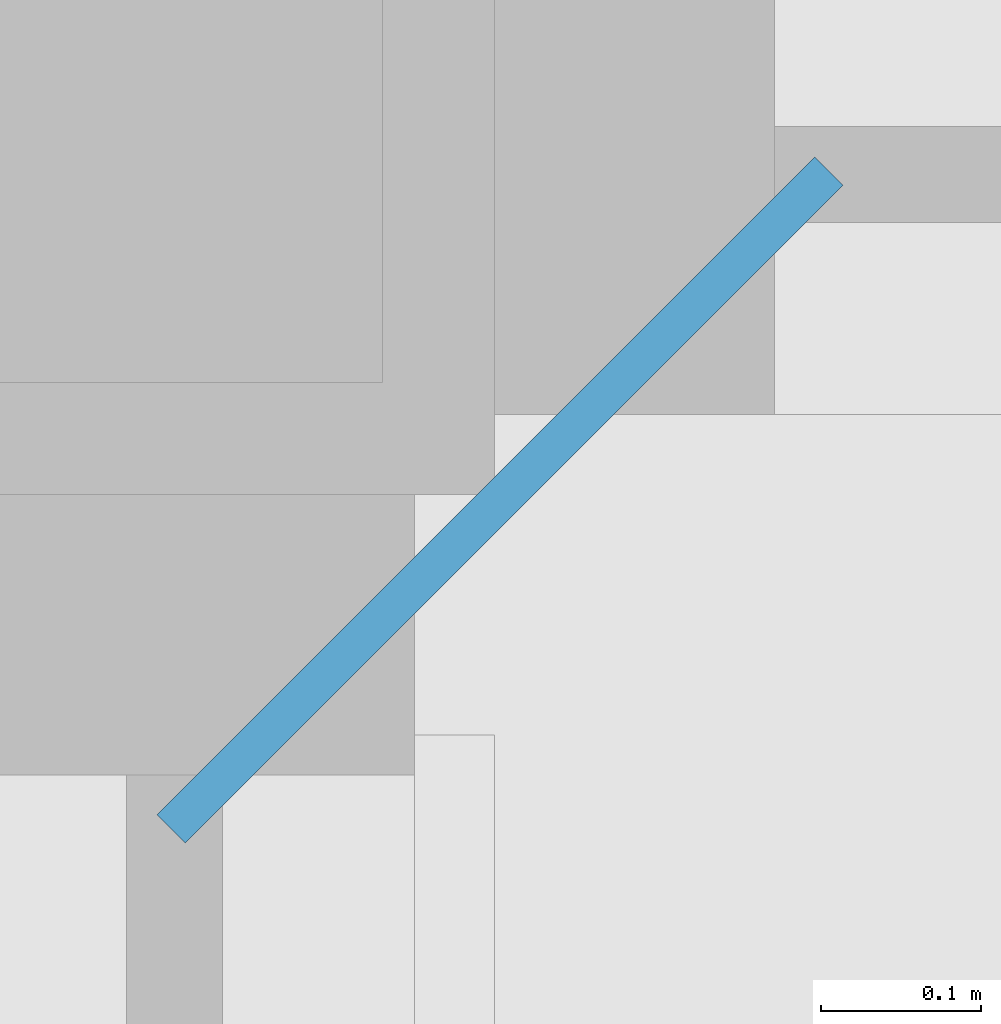
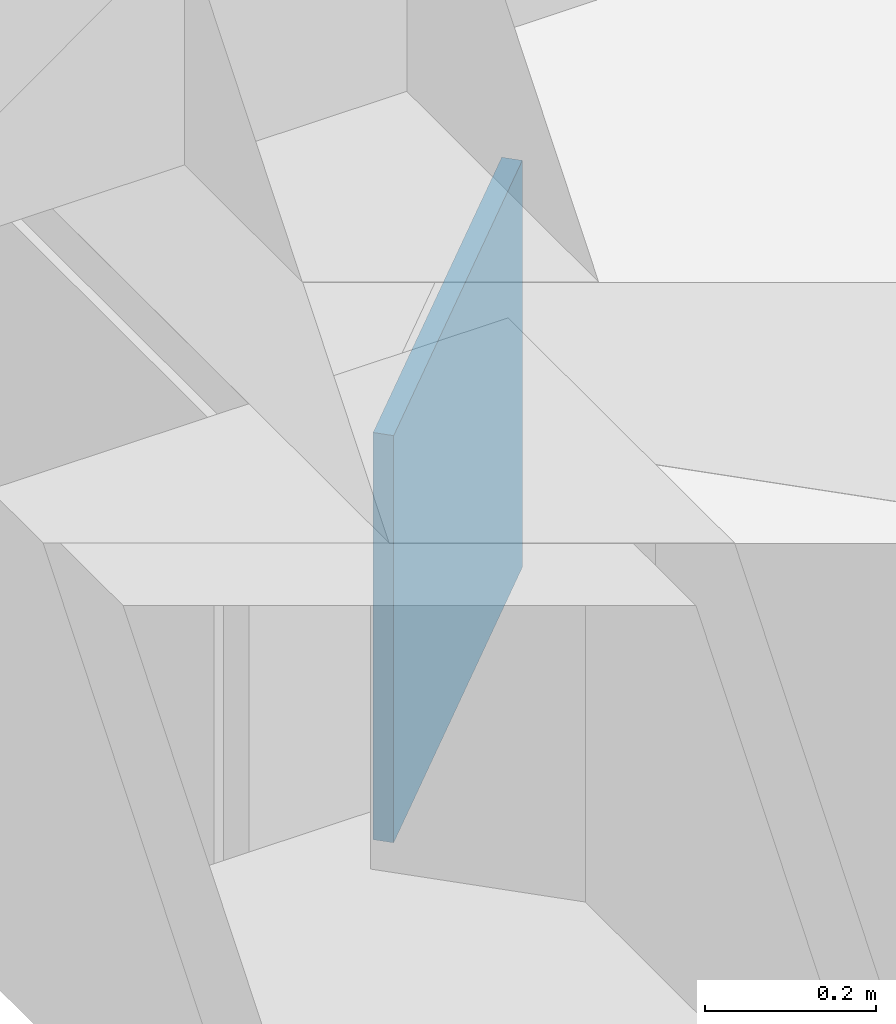
# One storey, part 5 of 15: 1 plate.
"""IFC4 building model written with IfcOpenShell, lengths in metres."""

import ifcopenshell
import ifcopenshell.guid

model = None  # the IFC model being written
_history = None  # IfcOwnerHistory: only IFC2X3 demands one
_inside = {}  # id of a spatial element -> (the spatial element, [elements in it])
_under = {}  # id of a project, library or spatial element -> (it, [spatial elements below it])
_declared = {}  # id of a project -> (the project, [libraries it declares])
_typed = {}  # id of a type object -> (the type object, [elements of that type])
_made_of = {}  # id of a material, layer set ... -> (it, [elements and type objects made of it])


def new_model(schema):
    """Start an empty IFC model of exactly this schema.

    Asked for "IFC4X3", IfcOpenShell would pick the latest addendum, in which some entities
    have other attributes; the version numbers below select the first issue.
    IFC2X3 requires an IfcOwnerHistory on every rooted entity: one is made here for all.
    """
    global model, _history
    if schema == "IFC4X3":
        model = ifcopenshell.file(schema_version=(4, 3, 0, 0))
    else:
        model = ifcopenshell.file(schema=schema)
    _inside.clear()
    _under.clear()
    _declared.clear()
    _typed.clear()
    _made_of.clear()
    _history = None
    if model.schema == "IFC2X3":
        org = make("IfcOrganization", Name="unknown")
        user = make(
            "IfcPersonAndOrganization",
            ThePerson=make("IfcPerson", FamilyName="unknown"),
            TheOrganization=org,
        )
        app = make(
            "IfcApplication",
            ApplicationDeveloper=org,
            Version="unknown",
            ApplicationFullName="unknown",
            ApplicationIdentifier="unknown",
        )
        _history = make(
            "IfcOwnerHistory",
            OwningUser=user,
            OwningApplication=app,
            ChangeAction="ADDED",
            CreationDate=0,
        )
    return model


def make(cls, **values):
    """One entity of the class cls with the attributes given. An attribute that is None is left unset."""
    return model.create_entity(
        cls, **{name: value for name, value in values.items() if value is not None}
    )


def rooted(cls, **values):
    """An entity with a GlobalId (a new one), such as an element, a storey or a relation."""
    return make(cls, GlobalId=ifcopenshell.guid.new(), OwnerHistory=_history, **values)


def si_unit(unit_type, name, prefix=None):
    """IfcSIUnit, for example si_unit("LENGTHUNIT", "METRE", prefix="MILLI")."""
    return make("IfcSIUnit", UnitType=unit_type, Prefix=prefix, Name=name)


def assignment(units):
    """IfcUnitAssignment: the units of a project."""
    return None if units is None else make("IfcUnitAssignment", Units=units)


def point(xyz):
    """IfcCartesianPoint."""
    return None if xyz is None else make("IfcCartesianPoint", Coordinates=xyz)


def direction(xyz):
    """IfcDirection."""
    return None if xyz is None else make("IfcDirection", DirectionRatios=xyz)


def frame(location, z_axis=None, x_axis=None):
    """IfcAxis2Placement3D, a coordinate frame: its origin and axes. An axis left out is left unset."""
    return make(
        "IfcAxis2Placement3D",
        Location=point(location),
        Axis=direction(z_axis),
        RefDirection=direction(x_axis),
    )


def frame_2d(location, x_axis=None):
    """IfcAxis2Placement2D, a coordinate frame in the plane: its origin and x axis."""
    return make(
        "IfcAxis2Placement2D", Location=point(location), RefDirection=direction(x_axis)
    )


def origin():
    """The frame at (0, 0, 0) with its axes left unset."""
    return frame((0.0, 0.0, 0.0))


def origin_2d():
    """The frame at (0, 0) in the plane with its x axis left unset."""
    return frame_2d((0.0, 0.0))


def place(relative_to, where):
    """IfcLocalPlacement: puts the frame where relative to a parent placement (None: the world)."""
    return make(
        "IfcLocalPlacement", PlacementRelTo=relative_to, RelativePlacement=where
    )


def context(
    kind, dimensions, precision=None, world=None, true_north=None, identifier=None
):
    """IfcGeometricRepresentationContext, for example the 3D "Model" context."""
    return make(
        "IfcGeometricRepresentationContext",
        ContextIdentifier=identifier,
        ContextType=kind,
        CoordinateSpaceDimension=dimensions,
        Precision=precision,
        WorldCoordinateSystem=world,
        TrueNorth=true_north,
    )


def subcontext(parent, identifier, kind, view, scale=None):
    """IfcGeometricRepresentationSubContext, for example "Body" below "Model"."""
    return make(
        "IfcGeometricRepresentationSubContext",
        ContextIdentifier=identifier,
        ContextType=kind,
        ParentContext=parent,
        TargetScale=scale,
        TargetView=view,
    )


def project(units=None, contexts=None):
    """IfcProject with its units and contexts."""
    return rooted(
        "IfcProject",
        Name="project",
        RepresentationContexts=contexts,
        UnitsInContext=assignment(units),
    )


def spatial(cls, under=None, at=None, **own):
    """A site, building, storey or space (cls), placed at a placement, below another one or the project."""
    s = rooted(cls, ObjectPlacement=at, **own)
    if under is not None:
        _under.setdefault(under.id(), (under, []))[1].append(s)
    return s


def profile(cls, at=None, kind="AREA", **sizes):
    """A parametric profile (cls). Its sizes go by their IFC names, for example OverallWidth=200.0."""
    return make(cls, ProfileType=kind, Position=at, **sizes)


def rectangle(**sizes):
    """IfcRectangleProfileDef."""
    return profile("IfcRectangleProfileDef", **sizes)


def extrude(swept, where, along, depth):
    """IfcExtrudedAreaSolid: the profile swept, set in the frame where, extruded along a direction by depth."""
    return make(
        "IfcExtrudedAreaSolid",
        SweptArea=swept,
        Position=where,
        ExtrudedDirection=direction(along),
        Depth=depth,
    )


def shape(context_of_items, identifier, shape_type, items):
    """IfcShapeRepresentation: the items that make up one representation, for example the "Body"."""
    return make(
        "IfcShapeRepresentation",
        ContextOfItems=context_of_items,
        RepresentationIdentifier=identifier,
        RepresentationType=shape_type,
        Items=items,
    )


def material(Name=None, Category=None):
    """IfcMaterial."""
    return make("IfcMaterial", Name=Name, Category=Category)


def layer(
    of_material, thickness, ventilated=None, Name=None, Category=None, Priority=None
):
    """IfcMaterialLayer: one layer of a wall or slab, of a material (None: an air gap)."""
    return make(
        "IfcMaterialLayer",
        Material=of_material,
        LayerThickness=thickness,
        IsVentilated=ventilated,
        Name=Name,
        Category=Category,
        Priority=Priority,
    )


def layer_set(layers, Name=None):
    """IfcMaterialLayerSet."""
    return make("IfcMaterialLayerSet", MaterialLayers=layers, LayerSetName=Name)


def made_of(thing, what):
    """Note that an element or type object is made of a material, layer set ...; save() writes the relation."""
    if what is not None:
        _made_of.setdefault(what.id(), (what, []))[1].append(thing)
    return thing


def type_object(cls, material=None, **own):
    """A type object (cls), such as IfcWallType, which elements share."""
    return made_of(rooted(cls, **own), material)


def element(
    cls,
    number,
    at=None,
    inside=None,
    cuts=None,
    type_object=None,
    material=None,
    context=None,
    identifier="Body",
    shape_type=None,
    held_by="IfcProductDefinitionShape",
    body=None,
    shapes=None,
    **own,
):
    """One element of the class cls, such as IfcWall. Its Tag is "e" and its number.

    at: its placement. inside: the storey or other place that contains it. cuts: it is an
    opening in that element (IfcRelVoidsElement). A single representation is given by context,
    identifier, shape_type and body (its items); several are given by shapes. held_by: the class
    of the entity that holds the representations. save() writes the other relations.
    """
    e = rooted(cls, Tag="e%d" % number, ObjectPlacement=at, **own)
    if body is not None:
        shapes = [shape(context, identifier, shape_type, body)]
    if shapes is not None:
        e.Representation = make(held_by, Representations=shapes)
    if inside is not None:
        _inside.setdefault(inside.id(), (inside, []))[1].append(e)
    if cuts is not None:
        rooted(
            "IfcRelVoidsElement", RelatingBuildingElement=cuts, RelatedOpeningElement=e
        )
    if type_object is not None:
        _typed.setdefault(type_object.id(), (type_object, []))[1].append(e)
    return made_of(e, material)


def aggregate(whole, parts):
    """IfcRelAggregates: a whole, such as a stair, and the parts it consists of."""
    return rooted("IfcRelAggregates", RelatingObject=whole, RelatedObjects=parts)


def save(model, path):
    """Write the relations noted so far, then the file.

    IfcRelAggregates (storeys below a building ...), IfcRelContainedInSpatialStructure (elements
    in a storey), IfcRelDefinesByType, IfcRelAssociatesMaterial and IfcRelDeclares: one each for
    every whole, place, type object, material and project.
    """
    for whole, parts in _under.values():
        aggregate(whole, parts)
    for where, things in _inside.values():
        rooted(
            "IfcRelContainedInSpatialStructure",
            RelatedElements=things,
            RelatingStructure=where,
        )
    for kind, things in _typed.values():
        rooted("IfcRelDefinesByType", RelatedObjects=things, RelatingType=kind)
    for what, things in _made_of.values():
        rooted("IfcRelAssociatesMaterial", RelatedObjects=things, RelatingMaterial=what)
    for by, libraries in _declared.values():
        rooted("IfcRelDeclares", RelatingContext=by, RelatedDefinitions=libraries)
    model.write(path)


model = new_model("IFC4")

# Units and contexts
model_context = context("Model", 3, precision=1e-05, world=origin(), true_north=direction((0.0, 1.0)))
body_context = subcontext(model_context, "Body", "Model", "MODEL_VIEW")
ifc_project = project(units=[si_unit("LENGTHUNIT", "METRE"), si_unit("AREAUNIT", "SQUARE_METRE"), si_unit("VOLUMEUNIT", "CUBIC_METRE"), si_unit("PLANEANGLEUNIT", "RADIAN"), si_unit("MASSUNIT", "GRAM", prefix="KILO")], contexts=[model_context])

# Site, building, storey
site_placement = place(None, origin())
site = spatial("IfcSite", under=ifc_project, at=site_placement, CompositionType="ELEMENT")
building_placement = place(site_placement, origin())
building = spatial("IfcBuilding", under=site, at=building_placement, Name="Kopane Lantern Tower", CompositionType="ELEMENT")
storey_placement = place(building_placement, frame((0.0, 0.0, 242.39990234375)))
storey = spatial("IfcBuildingStorey", under=building, at=storey_placement, Name="L62", CompositionType="ELEMENT", Elevation=242.39990234375)

# Plate
ifc_material = material(Name="Steel S355JR", Category="steel")
ifc_layer = layer(ifc_material, 0.02490234375)
ifc_layer_set = layer_set([ifc_layer], Name="STEEL END CAP PLATE PL25")
plate_type = type_object("IfcPlateType", Name="STEEL END CAP PLATE PL25", PredefinedType="USERDEFINED", material=ifc_layer_set)
plate_placement = place(storey_placement, frame((4.4033203125, 60.396728515625, -0.890380859375), z_axis=(0.0, 0.0, 1.0), x_axis=(-0.707106781187, 0.707106781187, 0.0)))
element("IfcPlate", 1, at=plate_placement, inside=storey, type_object=plate_type, Name="Corner tie beam end cap plate L62", ObjectType="PLATE", PredefinedType="USERDEFINED", context=body_context, shape_type="SweptSolid", body=[
    extrude(rectangle(XDim=0.02490234375, YDim=0.5810546875, at=origin_2d()), origin(), (0.0, 0.0, 1.0), 0.5810546875),
])

save(model, "model.ifc")
